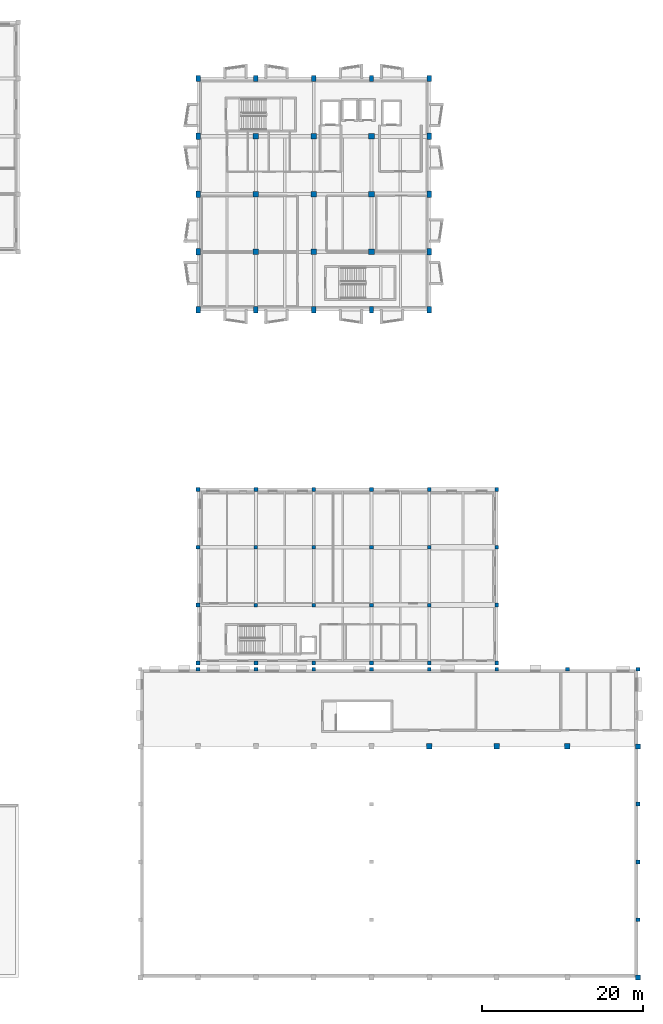
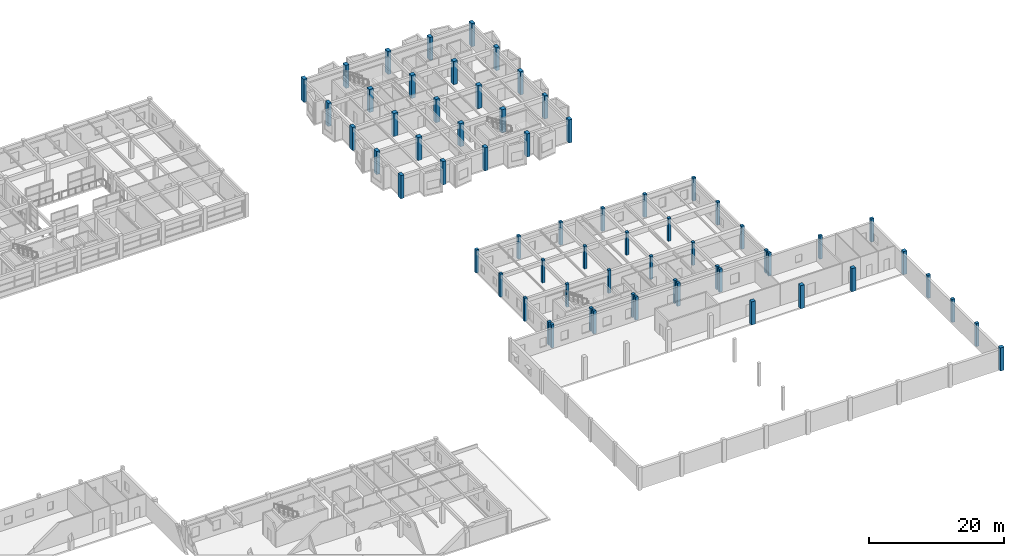
# One storey, part 3 of 49: 65 columns.
"""IFC4 building model written with IfcOpenShell, lengths in metres."""

from ifc_helpers import new_model, si_unit, direction, frame, origin, origin_2d, place, context, subcontext, project, spatial, rectangle, extrude, material, material_profile, profile_set, type_object, element, save


model = new_model("IFC4")

# Units and contexts
model_context = context("Model", 3, precision=1e-05, world=origin(), true_north=direction((0.0, 1.0)))
body_context = subcontext(model_context, "Body", "Model", "MODEL_VIEW")
ifc_project = project(units=[si_unit("LENGTHUNIT", "METRE"), si_unit("AREAUNIT", "SQUARE_METRE"), si_unit("VOLUMEUNIT", "CUBIC_METRE"), si_unit("PLANEANGLEUNIT", "RADIAN"), si_unit("MASSUNIT", "GRAM", prefix="KILO")], contexts=[model_context])

# Site, building, storey
site_placement = place(None, origin())
site = spatial("IfcSite", under=ifc_project, at=site_placement, CompositionType="ELEMENT")
building_placement = place(site_placement, origin())
building = spatial("IfcBuilding", under=site, at=building_placement, Name="Bramveld Media Centre", CompositionType="ELEMENT")
storey_placement = place(building_placement, frame((0.0, 0.0, 9.60009765625)))
storey = spatial("IfcBuildingStorey", under=building, at=storey_placement, Name="L02", CompositionType="ELEMENT", Elevation=9.60009765625)

# Columns
ifc_material_1 = material(Name="Concrete C40/50", Category="concrete")
ifc_material_profile_1 = material_profile(ifc_material_1, rectangle(XDim=0.47998046875, YDim=0.47998046875, at=origin_2d()), Name="RC 480x480")
ifc_profile_set_1 = profile_set([ifc_material_profile_1], Name="Concrete C40/50")
column_type_1 = type_object("IfcColumnType", Name="COL-EXT-RC-480x480", PredefinedType="COLUMN", material=ifc_profile_set_1)
for number, where, z_axis, x_axis, name in (
    (1, (131.199951171875, 38.39990234375, 0.0), (0.0, 0.0, 1.0), (1.0, 0.0, 0.0), "V1 L02 column RC 480x480"),
    (2, (138.39990234375, 38.39990234375, 0.0), (0.0, 0.0, 1.0), (1.0, 0.0, 0.0), "V1 L02 column RC 480x480"),
    (3, (145.60009765625, 38.39990234375, 0.0), (0.0, 0.0, 1.0), (1.0, 0.0, 0.0), "V1 L02 column RC 480x480"),
    (4, (152.800048828125, 38.39990234375, 0.0), (0.0, 0.0, 1.0), (1.0, 0.0, 0.0), "V1 L02 column RC 480x480"),
    (5, (160.0, 38.39990234375, 0.0), (0.0, 0.0, 1.0), (1.0, 0.0, 0.0), "V1 L02 column RC 480x480"),
    (6, (168.39990234375, 38.39990234375, 0.0), (0.0, 0.0, 1.0), (1.0, 0.0, 0.0), "V1 L02 column RC 480x480"),
    (7, (177.199951171875, 38.39990234375, 0.0), (0.0, 0.0, 1.0), (1.0, 0.0, 0.0), "V1 L02 column RC 480x480"),
    (8, (186.0, 7.199951171875, 0.0), (0.0, 0.0, 1.0), (1.0, 0.0, 0.0), "V1 L02 column RC 480x480"),
    (9, (186.0, 14.39990234375, 0.0), (0.0, 0.0, 1.0), (1.0, 0.0, 0.0), "V1 L02 column RC 480x480"),
    (10, (186.0, 21.60009765625, 0.0), (0.0, 0.0, 1.0), (1.0, 0.0, 0.0), "V1 L02 column RC 480x480"),
    (11, (186.0, 38.39990234375, 0.0), (0.0, 0.0, 1.0), (1.0, 0.0, 0.0), "V1 L02 column RC 480x480"),
    (12, (131.199951171875, 39.199951171875, 0.0), (0.0, 0.0, 1.0), (1.0, 0.0, 0.0), "V4 L02 column RC 480x480"),
    (13, (131.199951171875, 46.39990234375, 0.0), (0.0, 0.0, 1.0), (1.0, 0.0, 0.0), "V4 L02 column RC 480x480"),
    (14, (131.199951171875, 53.60009765625, 0.0), (0.0, 0.0, 1.0), (1.0, 0.0, 0.0), "V4 L02 column RC 480x480"),
    (15, (131.199951171875, 60.800048828125, 0.0), (0.0, 0.0, 1.0), (1.0, 0.0, 0.0), "V4 L02 column RC 480x480"),
    (16, (138.39990234375, 39.199951171875, 0.0), (0.0, 0.0, 1.0), (1.0, 0.0, 0.0), "V4 L02 column RC 480x480"),
    (17, (138.39990234375, 60.800048828125, 0.0), (0.0, 0.0, 1.0), (1.0, 0.0, 0.0), "V4 L02 column RC 480x480"),
    (18, (145.60009765625, 39.199951171875, 0.0), (0.0, 0.0, 1.0), (1.0, 0.0, 0.0), "V4 L02 column RC 480x480"),
    (19, (145.60009765625, 60.800048828125, 0.0), (0.0, 0.0, 1.0), (1.0, 0.0, 0.0), "V4 L02 column RC 480x480"),
    (20, (152.800048828125, 39.199951171875, 0.0), (0.0, 0.0, 1.0), (1.0, 0.0, 0.0), "V4 L02 column RC 480x480"),
    (21, (152.800048828125, 60.800048828125, 0.0), (0.0, 0.0, 1.0), (1.0, 0.0, 0.0), "V4 L02 column RC 480x480"),
    (22, (160.0, 39.199951171875, 0.0), (0.0, 0.0, 1.0), (1.0, 0.0, 0.0), "V4 L02 column RC 480x480"),
    (23, (160.0, 60.800048828125, 0.0), (0.0, 0.0, 1.0), (1.0, 0.0, 0.0), "V4 L02 column RC 480x480"),
    (24, (168.39990234375, 39.199951171875, 0.0), (0.0, 0.0, 1.0), (1.0, 0.0, 0.0), "V4 L02 column RC 480x480"),
    (25, (168.39990234375, 46.39990234375, 0.0), (0.0, 0.0, 1.0), (1.0, 0.0, 0.0), "V4 L02 column RC 480x480"),
    (26, (168.39990234375, 53.60009765625, 0.0), (0.0, 0.0, 1.0), (1.0, 0.0, 0.0), "V4 L02 column RC 480x480"),
    (27, (168.39990234375, 60.800048828125, 0.0), (0.0, 0.0, 1.0), (1.0, 0.0, 0.0), "V4 L02 column RC 480x480"),
):
    element("IfcColumn", number, at=place(storey_placement, frame(where, z_axis=z_axis, x_axis=x_axis)), inside=storey, type_object=column_type_1, Name=name, PredefinedType="COLUMN", context=body_context, shape_type="SweptSolid", body=[
        extrude(rectangle(XDim=0.47998046875, YDim=0.47998046875, at=origin_2d()), origin(), (0.0, 0.0, 1.0), 4.199951171875),
    ])
ifc_material_2 = material(Name="Concrete C40/50", Category="concrete")
ifc_material_profile_2 = material_profile(ifc_material_2, rectangle(XDim=0.550048828125, YDim=0.800048828125, at=origin_2d()), Name="RC 550x800")
ifc_profile_set_2 = profile_set([ifc_material_profile_2], Name="Concrete C40/50")
column_type_2 = type_object("IfcColumnType", Name="COL-EXT-RC-550x800", PredefinedType="COLUMN", material=ifc_profile_set_2)
for number, where, z_axis, x_axis, name in (
    (28, (131.199951171875, 83.199951171875, 0.0), (0.0, 0.0, 1.0), (1.0, 0.0, 0.0), "V7 L02 column RC 550x800"),
    (29, (131.199951171875, 90.39990234375, 0.0), (0.0, 0.0, 1.0), (1.0, 0.0, 0.0), "V7 L02 column RC 550x800"),
    (30, (131.199951171875, 97.60009765625, 0.0), (0.0, 0.0, 1.0), (1.0, 0.0, 0.0), "V7 L02 column RC 550x800"),
    (31, (131.199951171875, 104.800048828125, 0.0), (0.0, 0.0, 1.0), (1.0, 0.0, 0.0), "V7 L02 column RC 550x800"),
    (32, (131.199951171875, 112.0, 0.0), (0.0, 0.0, 1.0), (1.0, 0.0, 0.0), "V7 L02 column RC 550x800"),
    (33, (138.39990234375, 83.199951171875, 0.0), (0.0, 0.0, 1.0), (1.0, 0.0, 0.0), "V7 L02 column RC 550x800"),
    (34, (138.39990234375, 112.0, 0.0), (0.0, 0.0, 1.0), (1.0, 0.0, 0.0), "V7 L02 column RC 550x800"),
    (35, (145.60009765625, 83.199951171875, 0.0), (0.0, 0.0, 1.0), (1.0, 0.0, 0.0), "V7 L02 column RC 550x800"),
    (36, (145.60009765625, 112.0, 0.0), (0.0, 0.0, 1.0), (1.0, 0.0, 0.0), "V7 L02 column RC 550x800"),
    (37, (152.800048828125, 83.199951171875, 0.0), (0.0, 0.0, 1.0), (1.0, 0.0, 0.0), "V7 L02 column RC 550x800"),
    (38, (152.800048828125, 112.0, 0.0), (0.0, 0.0, 1.0), (1.0, 0.0, 0.0), "V7 L02 column RC 550x800"),
    (39, (160.0, 83.199951171875, 0.0), (0.0, 0.0, 1.0), (1.0, 0.0, 0.0), "V7 L02 column RC 550x800"),
    (40, (160.0, 90.39990234375, 0.0), (0.0, 0.0, 1.0), (1.0, 0.0, 0.0), "V7 L02 column RC 550x800"),
    (41, (160.0, 97.60009765625, 0.0), (0.0, 0.0, 1.0), (1.0, 0.0, 0.0), "V7 L02 column RC 550x800"),
    (42, (160.0, 104.800048828125, 0.0), (0.0, 0.0, 1.0), (1.0, 0.0, 0.0), "V7 L02 column RC 550x800"),
    (43, (160.0, 112.0, 0.0), (0.0, 0.0, 1.0), (1.0, 0.0, 0.0), "V7 L02 column RC 550x800"),
):
    element("IfcColumn", number, at=place(storey_placement, frame(where, z_axis=z_axis, x_axis=x_axis)), inside=storey, type_object=column_type_2, Name=name, PredefinedType="COLUMN", context=body_context, shape_type="SweptSolid", body=[
        extrude(rectangle(XDim=0.550048828125, YDim=0.800048828125, at=origin_2d()), origin(), (0.0, 0.0, 1.0), 4.199951171875),
    ])
ifc_material_3 = material(Name="Concrete C40/50", Category="concrete")
ifc_material_profile_3 = material_profile(ifc_material_3, rectangle(XDim=0.6201171875, YDim=0.6201171875, at=origin_2d()), Name="RC 620x620")
ifc_profile_set_3 = profile_set([ifc_material_profile_3], Name="Concrete C40/50")
column_type_3 = type_object("IfcColumnType", Name="COL-EXT-RC-620x620", PredefinedType="COLUMN", material=ifc_profile_set_3)
for number, where, z_axis, x_axis, name in (
    (44, (186.0, 0.0, 0.0), (0.0, 0.0, 1.0), (1.0, 0.0, 0.0), "V1 L02 column RC 620x620"),
    (45, (186.0, 28.800048828125, 0.0), (0.0, 0.0, 1.0), (1.0, 0.0, 0.0), "V1 L02 column RC 620x620"),
):
    element("IfcColumn", number, at=place(storey_placement, frame(where, z_axis=z_axis, x_axis=x_axis)), inside=storey, type_object=column_type_3, Name=name, PredefinedType="COLUMN", context=body_context, shape_type="SweptSolid", body=[
        extrude(rectangle(XDim=0.6201171875, YDim=0.6201171875, at=origin_2d()), origin(), (0.0, 0.0, 1.0), 4.199951171875),
    ])
ifc_material_4 = material(Name="Concrete C40/50", Category="concrete")
ifc_material_profile_4 = material_profile(ifc_material_4, rectangle(XDim=0.449951171875, YDim=0.449951171875, at=origin_2d()), Name="RC 450x450")
ifc_profile_set_4 = profile_set([ifc_material_profile_4], Name="Concrete C40/50")
column_type_4 = type_object("IfcColumnType", Name="COL-INT-RC-450x450", PredefinedType="COLUMN", material=ifc_profile_set_4)
for number, where, z_axis, x_axis, name in (
    (46, (138.39990234375, 46.39990234375, 0.0), (0.0, 0.0, 1.0), (1.0, 0.0, 0.0), "V4 L02 column RC 450x450"),
    (47, (138.39990234375, 53.60009765625, 0.0), (0.0, 0.0, 1.0), (1.0, 0.0, 0.0), "V4 L02 column RC 450x450"),
    (48, (145.60009765625, 46.39990234375, 0.0), (0.0, 0.0, 1.0), (1.0, 0.0, 0.0), "V4 L02 column RC 450x450"),
    (49, (145.60009765625, 53.60009765625, 0.0), (0.0, 0.0, 1.0), (1.0, 0.0, 0.0), "V4 L02 column RC 450x450"),
    (50, (152.800048828125, 46.39990234375, 0.0), (0.0, 0.0, 1.0), (1.0, 0.0, 0.0), "V4 L02 column RC 450x450"),
    (51, (152.800048828125, 53.60009765625, 0.0), (0.0, 0.0, 1.0), (1.0, 0.0, 0.0), "V4 L02 column RC 450x450"),
    (52, (160.0, 46.39990234375, 0.0), (0.0, 0.0, 1.0), (1.0, 0.0, 0.0), "V4 L02 column RC 450x450"),
    (53, (160.0, 53.60009765625, 0.0), (0.0, 0.0, 1.0), (1.0, 0.0, 0.0), "V4 L02 column RC 450x450"),
):
    element("IfcColumn", number, at=place(storey_placement, frame(where, z_axis=z_axis, x_axis=x_axis)), inside=storey, type_object=column_type_4, Name=name, PredefinedType="COLUMN", context=body_context, shape_type="SweptSolid", body=[
        extrude(rectangle(XDim=0.449951171875, YDim=0.449951171875, at=origin_2d()), origin(), (0.0, 0.0, 1.0), 4.199951171875),
    ])
ifc_material_5 = material(Name="Concrete C40/50", Category="concrete")
ifc_material_profile_5 = material_profile(ifc_material_5, rectangle(XDim=0.64990234375, YDim=0.64990234375, at=origin_2d()), Name="RC 650x650")
ifc_profile_set_5 = profile_set([ifc_material_profile_5], Name="Concrete C40/50")
column_type_5 = type_object("IfcColumnType", Name="COL-INT-RC-650x650", PredefinedType="COLUMN", material=ifc_profile_set_5)
for number, where, z_axis, x_axis, name in (
    (54, (160.0, 28.800048828125, 0.0), (0.0, 0.0, 1.0), (1.0, 0.0, 0.0), "V1 L02 column RC 650x650"),
    (55, (168.39990234375, 28.800048828125, 0.0), (0.0, 0.0, 1.0), (1.0, 0.0, 0.0), "V1 L02 column RC 650x650"),
    (56, (177.199951171875, 28.800048828125, 0.0), (0.0, 0.0, 1.0), (1.0, 0.0, 0.0), "V1 L02 column RC 650x650"),
):
    element("IfcColumn", number, at=place(storey_placement, frame(where, z_axis=z_axis, x_axis=x_axis)), inside=storey, type_object=column_type_5, Name=name, PredefinedType="COLUMN", context=body_context, shape_type="SweptSolid", body=[
        extrude(rectangle(XDim=0.64990234375, YDim=0.64990234375, at=origin_2d()), origin(), (0.0, 0.0, 1.0), 4.199951171875),
    ])
ifc_material_6 = material(Name="Concrete C40/50", Category="concrete")
ifc_material_profile_6 = material_profile(ifc_material_6, rectangle(XDim=0.699951171875, YDim=0.699951171875, at=origin_2d()), Name="RC 700x700")
ifc_profile_set_6 = profile_set([ifc_material_profile_6], Name="Concrete C40/50")
column_type_6 = type_object("IfcColumnType", Name="COL-INT-RC-700x700", PredefinedType="COLUMN", material=ifc_profile_set_6)
for number, where, z_axis, x_axis, name in (
    (57, (138.39990234375, 90.39990234375, 0.0), (0.0, 0.0, 1.0), (1.0, 0.0, 0.0), "V7 L02 column RC 700x700"),
    (58, (138.39990234375, 97.60009765625, 0.0), (0.0, 0.0, 1.0), (1.0, 0.0, 0.0), "V7 L02 column RC 700x700"),
    (59, (138.39990234375, 104.800048828125, 0.0), (0.0, 0.0, 1.0), (1.0, 0.0, 0.0), "V7 L02 column RC 700x700"),
    (60, (145.60009765625, 90.39990234375, 0.0), (0.0, 0.0, 1.0), (1.0, 0.0, 0.0), "V7 L02 column RC 700x700"),
    (61, (145.60009765625, 97.60009765625, 0.0), (0.0, 0.0, 1.0), (1.0, 0.0, 0.0), "V7 L02 column RC 700x700"),
    (62, (145.60009765625, 104.800048828125, 0.0), (0.0, 0.0, 1.0), (1.0, 0.0, 0.0), "V7 L02 column RC 700x700"),
    (63, (152.800048828125, 90.39990234375, 0.0), (0.0, 0.0, 1.0), (1.0, 0.0, 0.0), "V7 L02 column RC 700x700"),
    (64, (152.800048828125, 97.60009765625, 0.0), (0.0, 0.0, 1.0), (1.0, 0.0, 0.0), "V7 L02 column RC 700x700"),
    (65, (152.800048828125, 104.800048828125, 0.0), (0.0, 0.0, 1.0), (1.0, 0.0, 0.0), "V7 L02 column RC 700x700"),
):
    element("IfcColumn", number, at=place(storey_placement, frame(where, z_axis=z_axis, x_axis=x_axis)), inside=storey, type_object=column_type_6, Name=name, PredefinedType="COLUMN", context=body_context, shape_type="SweptSolid", body=[
        extrude(rectangle(XDim=0.699951171875, YDim=0.699951171875, at=origin_2d()), origin(), (0.0, 0.0, 1.0), 4.199951171875),
    ])

save(model, "model.ifc")
